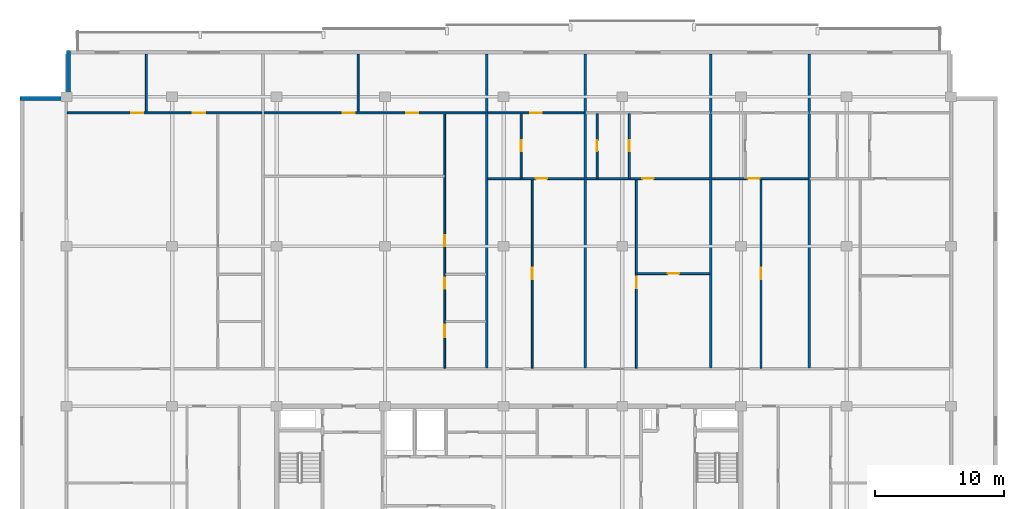
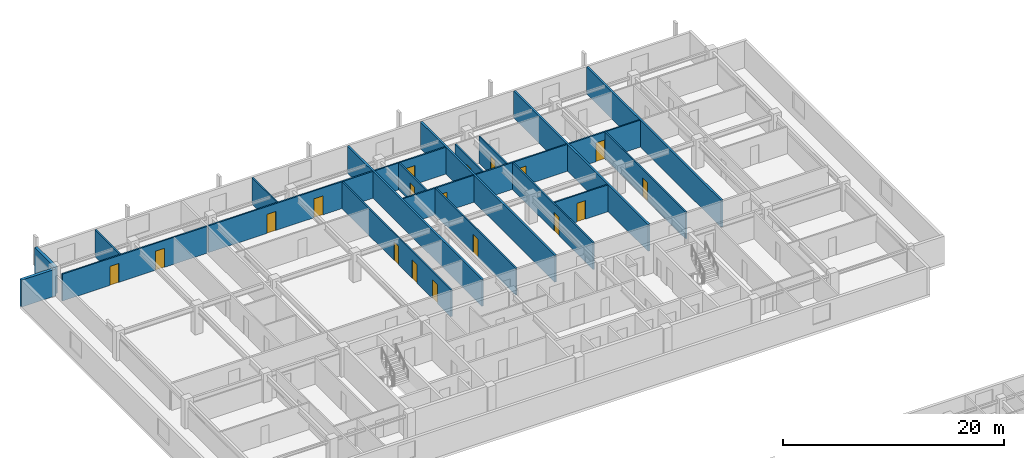
# One storey, part 13 of 21: 22 walls, 18 doors, 18 openings.
"""IFC4 building model written with IfcOpenShell, lengths in metres."""

from ifc_helpers import new_model, si_unit, direction, frame, frame_2d, origin, place, context, subcontext, project, spatial, rectangle, extrude, material, layer, layer_set, type_object, element, fill, save


model = new_model("IFC4")

# Units and contexts
model_context = context("Model", 3, precision=1e-05, world=origin(), true_north=direction((0.0, 1.0)))
body_context = subcontext(model_context, "Body", "Model", "MODEL_VIEW")
ifc_project = project(units=[si_unit("LENGTHUNIT", "METRE"), si_unit("AREAUNIT", "SQUARE_METRE"), si_unit("VOLUMEUNIT", "CUBIC_METRE"), si_unit("PLANEANGLEUNIT", "RADIAN"), si_unit("MASSUNIT", "GRAM", prefix="KILO")], contexts=[model_context])

# Site, building, storey
site_placement = place(None, origin())
site = spatial("IfcSite", under=ifc_project, at=site_placement, CompositionType="ELEMENT")
building_placement = place(site_placement, origin())
building = spatial("IfcBuilding", under=site, at=building_placement, Name="Korimba Cascade Residences", CompositionType="ELEMENT")
storey_placement = place(building_placement, frame((0.0, 0.0, 175.10009765625)))
storey = spatial("IfcBuildingStorey", under=building, at=storey_placement, Name="L50", CompositionType="ELEMENT", Elevation=175.10009765625)

# Walls
ifc_material_1 = material(Name="Precast concrete C40/50", Category="concrete")
ifc_layer_1 = layer(ifc_material_1, 0.300048828125)
ifc_layer_set_1 = layer_set([ifc_layer_1], Name="Precast concrete C40/50")
wall_type_1 = type_object("IfcWallType", Name="EW-STONE-300", PredefinedType="STANDARD", material=ifc_layer_set_1)
for number, where, z_axis, x_axis, name in (
    (1, (59.949951171875, 94.800048828125, 0.0), (0.0, 0.0, 1.0), (0.0, -1.0, 0.0), "L50 T1 Perimeter Stone Wall E07"),
    (2, (59.800048828125, 91.050048828125, 0.0), (0.0, 0.0, 1.0), (-1.0, 0.0, 0.0), "L50 T1 Perimeter Stone Wall E08"),
):
    element("IfcWall", number, at=place(storey_placement, frame(where, z_axis=z_axis, x_axis=x_axis)), inside=storey, type_object=wall_type_1, Name=name, PredefinedType="STANDARD", context=body_context, shape_type="SweptSolid", body=[
        extrude(rectangle(XDim=3.60009765625, YDim=0.300048828125, at=frame_2d((1.800048828125, 0.0))), origin(), (0.0, 0.0, 1.0), 2.969970703125),
    ])
ifc_layer_2 = layer(ifc_material_1, 0.199951171875)
ifc_layer_set_2 = layer_set([ifc_layer_2], Name="Precast concrete C40/50")
wall_type_2 = type_object("IfcWallType", Name="WAL-IT-200", PredefinedType="PARTITIONING", material=ifc_layer_set_2)
for number, where, z_axis, x_axis, name in (
    (3, (92.40478515625, 70.179931640625, 0.0), (0.0, 0.0, 1.0), (0.0, 1.0, 0.0), "L50 Partition Wall WAL-L50-T1-DEM-2"),
    (4, (100.023681640625, 70.179931640625, 0.0), (0.0, 0.0, 1.0), (0.0, 1.0, 0.0), "L50 Partition Wall WAL-L50-T1-DEM-3"),
    (5, (109.764892578125, 70.179931640625, 0.0), (0.0, 0.0, 1.0), (0.0, 1.0, 0.0), "L50 Partition Wall WAL-L50-T1-DEM-4"),
    (6, (117.3837890625, 70.179931640625, 0.0), (0.0, 0.0, 1.0), (0.0, 1.0, 0.0), "L50 Partition Wall WAL-L50-T1-DEM-5"),
):
    element("IfcWall", number, at=place(storey_placement, frame(where, z_axis=z_axis, x_axis=x_axis)), inside=storey, type_object=wall_type_2, Name=name, PredefinedType="PARTITIONING", context=body_context, shape_type="SweptSolid", body=[
        extrude(rectangle(XDim=24.320068359375, YDim=0.199951171875, at=frame_2d((12.16015625, 0.0))), origin(), (0.0, 0.0, 1.0), 2.969970703125),
    ])
ifc_material_2 = material(Name="Insulated Acoustic Stud Partition", Category="gypsum")
ifc_layer_3 = layer(ifc_material_2, 0.14990234375)
ifc_layer_set_3 = layer_set([ifc_layer_3], Name="Insulated Acoustic Stud Partition")
wall_type_3 = type_object("IfcWallType", Name="WAL-PART-150", PredefinedType="PARTITIONING", material=ifc_layer_set_3)
wall_1_placement = place(storey_placement, frame((66.000732421875, 90.030029296875, 0.0), z_axis=(0.0, 0.0, 1.0), x_axis=(0.0, 1.0, 0.0)))
element("IfcWall", 7, at=wall_1_placement, inside=storey, type_object=wall_type_3, Name="L50 Partition Wall WAL-L50-T1-U01-OUTV", PredefinedType="PARTITIONING", context=body_context, shape_type="SweptSolid", body=[
    extrude(rectangle(XDim=4.469970703125, YDim=0.14990234375, at=frame_2d((2.23486328125, 0.0))), origin(), (0.0, 0.0, 1.0), 2.969970703125),
])

# Wall, openings, doors
wall_2_placement = place(storey_placement, frame((59.8798828125, 89.949951171875, 0.0), z_axis=(0.0, 0.0, 1.0), x_axis=(1.0, 0.0, 0.0)))
wall_2 = element("IfcWall", 8, at=wall_2_placement, inside=storey, type_object=wall_type_3, Name="L50 Partition Wall WAL-L50-T1-U01-HZ", PredefinedType="PARTITIONING", context=body_context, shape_type="SweptSolid", body=[
    extrude(rectangle(XDim=15.08154296875, YDim=0.14990234375, at=frame_2d((7.540771484375, 0.0))), origin(), (0.0, 0.0, 1.0), 2.969970703125),
])
opening_1_placement = place(wall_2_placement, frame((4.9306640625, 0.0, 0.0)))
opening_1 = element("IfcOpeningElement", 9, at=opening_1_placement, cuts=wall_2, Name="Opening D-IN0", PredefinedType="OPENING", context=body_context, shape_type="SweptSolid", body=[
    extrude(rectangle(XDim=0.93994140625, YDim=2.10009765625, at=frame_2d((0.469970703125, 1.050048828125))), frame((0.0, 0.0849609375, 0.0), z_axis=(0.0, -1.0, 0.0), x_axis=(1.0, 0.0, 0.0)), (0.0, 0.0, 1.0), 0.169921875),
])
opening_2_placement = place(wall_2_placement, frame((9.7333984375, 0.0, 0.0)))
opening_2 = element("IfcOpeningElement", 10, at=opening_2_placement, cuts=wall_2, Name="Opening D-IN0", PredefinedType="OPENING", context=body_context, shape_type="SweptSolid", body=[
    extrude(rectangle(XDim=0.93994140625, YDim=2.10009765625, at=frame_2d((0.469970703125, 1.050048828125))), frame((0.0, 0.0849609375, 0.0), z_axis=(0.0, -1.0, 0.0), x_axis=(1.0, 0.0, 0.0)), (0.0, 0.0, 1.0), 0.169921875),
])
ifc_material_3 = material(Name="Acoustic Timber Living Archway Door", Category="wood")
door_type_1 = type_object("IfcDoorType", Name="DR-INT-950", OperationType="NOTDEFINED", PredefinedType="DOOR", material=ifc_material_3)
door_1_placement = place(opening_1_placement, origin())
door_1 = element("IfcDoor", 11, at=door_1_placement, inside=storey, type_object=door_type_1, Name="L50-T1-U01 Executive Co-Working Office Door", OperationType="SINGLE_SWING_RIGHT", OverallHeight=2.10009765625, OverallWidth=0.93994140625, PredefinedType="DOOR", context=body_context, shape_type="SweptSolid", body=[
    extrude(rectangle(XDim=0.93994140625, YDim=2.10009765625, at=frame_2d((0.469970703125, 1.050048828125))), frame((0.0, 0.02490234375, 0.0), z_axis=(0.0, -1.0, 0.0), x_axis=(1.0, 0.0, 0.0)), (0.0, 0.0, 1.0), 0.050048828125),
])
fill(opening_1, door_1)
door_2_placement = place(opening_2_placement, origin())
door_2 = element("IfcDoor", 12, at=door_2_placement, inside=storey, type_object=door_type_1, Name="L50-T1-U01 Focus Workstation Office Door", OperationType="SINGLE_SWING_LEFT", OverallHeight=2.10009765625, OverallWidth=0.93994140625, PredefinedType="DOOR", context=body_context, shape_type="SweptSolid", body=[
    extrude(rectangle(XDim=0.93994140625, YDim=2.10009765625, at=frame_2d((0.469970703125, 1.050048828125))), frame((0.0, 0.02490234375, 0.0), z_axis=(0.0, -1.0, 0.0), x_axis=(1.0, 0.0, 0.0)), (0.0, 0.0, 1.0), 0.050048828125),
])
fill(opening_2, door_2)

wall_3_placement = place(storey_placement, frame((89.134765625, 70.159912109375, 0.0), z_axis=(0.0, 0.0, 1.0), x_axis=(0.0, 1.0, 0.0)))
wall_3 = element("IfcWall", 13, at=wall_3_placement, inside=storey, type_object=wall_type_3, Name="L50 Partition Wall WAL-L50-T1-U02-WCV", PredefinedType="PARTITIONING", context=body_context, shape_type="SweptSolid", body=[
    extrude(rectangle(XDim=19.72998046875, YDim=0.14990234375, at=frame_2d((9.864990234375, 0.0))), origin(), (0.0, 0.0, 1.0), 2.969970703125),
])
opening_3_placement = place(wall_3_placement, frame((2.406005859375, 0.0, 0.0)))
opening_3 = element("IfcOpeningElement", 14, at=opening_3_placement, cuts=wall_3, Name="Opening D-AC1", PredefinedType="OPENING", context=body_context, shape_type="SweptSolid", body=[
    extrude(rectangle(XDim=0.9599609375, YDim=2.10009765625, at=frame_2d((0.47998046875, 1.050048828125))), frame((0.0, 0.0849609375, 0.0), z_axis=(0.0, -1.0, 0.0), x_axis=(1.0, 0.0, 0.0)), (0.0, 0.0, 1.0), 0.169921875),
])
opening_4_placement = place(wall_3_placement, frame((6.132568359375, 0.0, 0.0)))
opening_4 = element("IfcOpeningElement", 15, at=opening_4_placement, cuts=wall_3, Name="Opening D-IN2", PredefinedType="OPENING", context=body_context, shape_type="SweptSolid", body=[
    extrude(rectangle(XDim=0.8798828125, YDim=2.06005859375, at=frame_2d((0.43994140625, 1.030029296875))), frame((0.0, 0.0849609375, 0.0), z_axis=(0.0, -1.0, 0.0), x_axis=(1.0, 0.0, 0.0)), (0.0, 0.0, 1.0), 0.169921875),
])
opening_5_placement = place(wall_3_placement, frame((9.445068359375, 0.0, 0.0)))
opening_5 = element("IfcOpeningElement", 16, at=opening_5_placement, cuts=wall_3, Name="Opening D-BT1", PredefinedType="OPENING", context=body_context, shape_type="SweptSolid", body=[
    extrude(rectangle(XDim=0.840087890625, YDim=2.0400390625, at=frame_2d((0.419921875, 1.02001953125))), frame((0.0, 0.0849609375, 0.0), z_axis=(0.0, -1.0, 0.0), x_axis=(1.0, 0.0, 0.0)), (0.0, 0.0, 1.0), 0.169921875),
])
ifc_material_4 = material(Name="Accessible Acoustic Timber WC Door", Category="wood")
door_type_2 = type_object("IfcDoorType", Name="DR-ACC-950", OperationType="NOTDEFINED", PredefinedType="DOOR", material=ifc_material_4)
door_3_placement = place(opening_3_placement, origin())
door_3 = element("IfcDoor", 17, at=door_3_placement, inside=storey, type_object=door_type_2, Name="L50-T1-U02 Accessible WC Door", OperationType="SINGLE_SWING_LEFT", OverallHeight=2.10009765625, OverallWidth=0.9599609375, PredefinedType="DOOR", context=body_context, shape_type="SweptSolid", body=[
    extrude(rectangle(XDim=0.9599609375, YDim=2.10009765625, at=frame_2d((0.47998046875, 1.050048828125))), frame((0.0, 0.02490234375, 0.0), z_axis=(0.0, -1.0, 0.0), x_axis=(1.0, 0.0, 0.0)), (0.0, 0.0, 1.0), 0.050048828125),
])
fill(opening_3, door_3)
ifc_material_5 = material(Name="Moisture-Resistant Bathroom Timber Door", Category="wood")
door_type_3 = type_object("IfcDoorType", Name="DR-INT-850", OperationType="NOTDEFINED", PredefinedType="DOOR", material=ifc_material_5)
door_4_placement = place(opening_5_placement, origin())
door_4 = element("IfcDoor", 18, at=door_4_placement, inside=storey, type_object=door_type_3, Name="L50-T1-U02 Suite Store Door", OperationType="SINGLE_SWING_LEFT", OverallHeight=2.0400390625, OverallWidth=0.840087890625, PredefinedType="DOOR", context=body_context, shape_type="SweptSolid", body=[
    extrude(rectangle(XDim=0.840087890625, YDim=2.0400390625, at=frame_2d((0.419921875, 1.02001953125))), frame((0.0, 0.02490234375, 0.0), z_axis=(0.0, -1.0, 0.0), x_axis=(1.0, 0.0, 0.0)), (0.0, 0.0, 1.0), 0.050048828125),
])
fill(opening_5, door_4)
ifc_material_6 = material(Name="Acoustic Timber Bedroom Door", Category="wood")
door_type_4 = type_object("IfcDoorType", Name="DR-INT-880", OperationType="NOTDEFINED", PredefinedType="DOOR", material=ifc_material_6)
door_5_placement = place(opening_4_placement, origin())
door_5 = element("IfcDoor", 19, at=door_5_placement, inside=storey, type_object=door_type_4, Name="L50-T1-U02 Restroom WC Door", OperationType="SINGLE_SWING_RIGHT", OverallHeight=2.06005859375, OverallWidth=0.8798828125, PredefinedType="DOOR", context=body_context, shape_type="SweptSolid", body=[
    extrude(rectangle(XDim=0.8798828125, YDim=2.06005859375, at=frame_2d((0.43994140625, 1.030029296875))), frame((0.0, 0.02490234375, 0.0), z_axis=(0.0, -1.0, 0.0), x_axis=(1.0, 0.0, 0.0)), (0.0, 0.0, 1.0), 0.050048828125),
])
fill(opening_4, door_5)

# Wall
wall_4_placement = place(storey_placement, frame((82.41796875, 90.030029296875, 0.0), z_axis=(0.0, 0.0, 1.0), x_axis=(0.0, 1.0, 0.0)))
element("IfcWall", 20, at=wall_4_placement, inside=storey, type_object=wall_type_3, Name="L50 Partition Wall WAL-L50-T1-U02-OUTV", PredefinedType="PARTITIONING", context=body_context, shape_type="SweptSolid", body=[
    extrude(rectangle(XDim=4.469970703125, YDim=0.14990234375, at=frame_2d((2.23486328125, 0.0))), origin(), (0.0, 0.0, 1.0), 2.969970703125),
])

# Wall, openings, doors
wall_5_placement = place(storey_placement, frame((75.121337890625, 89.949951171875, 0.0), z_axis=(0.0, 0.0, 1.0), x_axis=(1.0, 0.0, 0.0)))
wall_5 = element("IfcWall", 21, at=wall_5_placement, inside=storey, type_object=wall_type_3, Name="L50 Partition Wall WAL-L50-T1-U02-HZ", PredefinedType="PARTITIONING", context=body_context, shape_type="SweptSolid", body=[
    extrude(rectangle(XDim=17.203369140625, YDim=0.14990234375, at=frame_2d((8.6015625, 0.0))), origin(), (0.0, 0.0, 1.0), 2.969970703125),
])
opening_6_placement = place(wall_5_placement, frame((6.106689453125, 0.0, 0.0)))
opening_6 = element("IfcOpeningElement", 22, at=opening_6_placement, cuts=wall_5, Name="Opening D-IN0", PredefinedType="OPENING", context=body_context, shape_type="SweptSolid", body=[
    extrude(rectangle(XDim=0.93994140625, YDim=2.10009765625, at=frame_2d((0.469970703125, 1.050048828125))), frame((0.0, 0.0849609375, 0.0), z_axis=(0.0, -1.0, 0.0), x_axis=(1.0, 0.0, 0.0)), (0.0, 0.0, 1.0), 0.169921875),
])
opening_7_placement = place(wall_5_placement, frame((11.029296875, 0.0, 0.0)))
opening_7 = element("IfcOpeningElement", 23, at=opening_7_placement, cuts=wall_5, Name="Opening D-IN0", PredefinedType="OPENING", context=body_context, shape_type="SweptSolid", body=[
    extrude(rectangle(XDim=0.93994140625, YDim=2.10009765625, at=frame_2d((0.469970703125, 1.050048828125))), frame((0.0, 0.0849609375, 0.0), z_axis=(0.0, -1.0, 0.0), x_axis=(1.0, 0.0, 0.0)), (0.0, 0.0, 1.0), 0.169921875),
])
door_6_placement = place(opening_6_placement, origin())
door_6 = element("IfcDoor", 24, at=door_6_placement, inside=storey, type_object=door_type_1, Name="L50-T1-U02 Hydrotherapy Wellness Clinic Door", OperationType="SINGLE_SWING_RIGHT", OverallHeight=2.10009765625, OverallWidth=0.93994140625, PredefinedType="DOOR", context=body_context, shape_type="SweptSolid", body=[
    extrude(rectangle(XDim=0.93994140625, YDim=2.10009765625, at=frame_2d((0.469970703125, 1.050048828125))), frame((0.0, 0.02490234375, 0.0), z_axis=(0.0, -1.0, 0.0), x_axis=(1.0, 0.0, 0.0)), (0.0, 0.0, 1.0), 0.050048828125),
])
fill(opening_6, door_6)
door_7_placement = place(opening_7_placement, origin())
door_7 = element("IfcDoor", 25, at=door_7_placement, inside=storey, type_object=door_type_1, Name="L50-T1-U02 Physiotherapy Treatment Room Door", OperationType="SINGLE_SWING_LEFT", OverallHeight=2.10009765625, OverallWidth=0.93994140625, PredefinedType="DOOR", context=body_context, shape_type="SweptSolid", body=[
    extrude(rectangle(XDim=0.93994140625, YDim=2.10009765625, at=frame_2d((0.469970703125, 1.050048828125))), frame((0.0, 0.02490234375, 0.0), z_axis=(0.0, -1.0, 0.0), x_axis=(1.0, 0.0, 0.0)), (0.0, 0.0, 1.0), 0.050048828125),
])
fill(opening_7, door_7)

# Wall, opening, door
wall_6_placement = place(storey_placement, frame((95.919189453125, 70.159912109375, 0.0), z_axis=(0.0, 0.0, 1.0), x_axis=(0.0, 1.0, 0.0)))
wall_6 = element("IfcWall", 26, at=wall_6_placement, inside=storey, type_object=wall_type_3, Name="L50 Partition Wall WAL-L50-T1-U03-FV", PredefinedType="PARTITIONING", context=body_context, shape_type="SweptSolid", body=[
    extrude(rectangle(XDim=14.650146484375, YDim=0.14990234375, at=frame_2d((7.3251953125, 0.0))), origin(), (0.0, 0.0, 1.0), 2.969970703125),
])
opening_8_placement = place(wall_6_placement, frame((6.885009765625, 0.0, 0.0)))
opening_8 = element("IfcOpeningElement", 27, at=opening_8_placement, cuts=wall_6, Name="Opening D-IN2", PredefinedType="OPENING", context=body_context, shape_type="SweptSolid", body=[
    extrude(rectangle(XDim=0.8798828125, YDim=2.06005859375, at=frame_2d((0.43994140625, 1.030029296875))), frame((0.0, 0.0849609375, 0.0), z_axis=(0.0, -1.0, 0.0), x_axis=(1.0, 0.0, 0.0)), (0.0, 0.0, 1.0), 0.169921875),
])
door_8_placement = place(opening_8_placement, origin())
door_8 = element("IfcDoor", 28, at=door_8_placement, inside=storey, type_object=door_type_4, Name="L50-T1-U03 Media Lounge Door", OperationType="SINGLE_SWING_RIGHT", OverallHeight=2.06005859375, OverallWidth=0.8798828125, PredefinedType="DOOR", context=body_context, shape_type="SweptSolid", body=[
    extrude(rectangle(XDim=0.8798828125, YDim=2.06005859375, at=frame_2d((0.43994140625, 1.030029296875))), frame((0.0, 0.02490234375, 0.0), z_axis=(0.0, -1.0, 0.0), x_axis=(1.0, 0.0, 0.0)), (0.0, 0.0, 1.0), 0.050048828125),
])
fill(opening_8, door_8)

wall_7_placement = place(storey_placement, frame((95.064697265625, 84.889892578125, 0.0), z_axis=(0.0, 0.0, 1.0), x_axis=(0.0, 1.0, 0.0)))
wall_7 = element("IfcWall", 29, at=wall_7_placement, inside=storey, type_object=wall_type_3, Name="L50 Partition Wall WAL-L50-T1-U03-BM", PredefinedType="PARTITIONING", context=body_context, shape_type="SweptSolid", body=[
    extrude(rectangle(XDim=5.0, YDim=0.14990234375, at=frame_2d((2.5, 0.0))), origin(), (0.0, 0.0, 1.0), 2.969970703125),
])
opening_9_placement = place(wall_7_placement, frame((2.080078125, 0.0, 0.0)))
opening_9 = element("IfcOpeningElement", 30, at=opening_9_placement, cuts=wall_7, Name="Opening D-BT1", PredefinedType="OPENING", context=body_context, shape_type="SweptSolid", body=[
    extrude(rectangle(XDim=0.840087890625, YDim=2.0400390625, at=frame_2d((0.419921875, 1.02001953125))), frame((0.0, 0.0849609375, 0.0), z_axis=(0.0, -1.0, 0.0), x_axis=(1.0, 0.0, 0.0)), (0.0, 0.0, 1.0), 0.169921875),
])
door_9_placement = place(opening_9_placement, origin())
door_9 = element("IfcDoor", 31, at=door_9_placement, inside=storey, type_object=door_type_3, Name="L50-T1-U03 Bathroom Door", OperationType="SINGLE_SWING_LEFT", OverallHeight=2.0400390625, OverallWidth=0.840087890625, PredefinedType="DOOR", context=body_context, shape_type="SweptSolid", body=[
    extrude(rectangle(XDim=0.840087890625, YDim=2.0400390625, at=frame_2d((0.419921875, 1.02001953125))), frame((0.0, 0.02490234375, 0.0), z_axis=(0.0, -1.0, 0.0), x_axis=(1.0, 0.0, 0.0)), (0.0, 0.0, 1.0), 0.050048828125),
])
fill(opening_9, door_9)

wall_8_placement = place(storey_placement, frame((92.484619140625, 84.85009765625, 0.0), z_axis=(0.0, 0.0, 1.0), x_axis=(1.0, 0.0, 0.0)))
wall_8 = element("IfcWall", 32, at=wall_8_placement, inside=storey, type_object=wall_type_3, Name="L50 Partition Wall WAL-L50-T1-U03-MW", PredefinedType="PARTITIONING", context=body_context, shape_type="SweptSolid", body=[
    extrude(rectangle(XDim=7.459228515625, YDim=0.14990234375, at=frame_2d((3.7294921875, 0.0))), origin(), (0.0, 0.0, 1.0), 2.969970703125),
])
opening_10_placement = place(wall_8_placement, frame((3.69677734375, 0.0, 0.0)))
opening_10 = element("IfcOpeningElement", 33, at=opening_10_placement, cuts=wall_8, Name="Opening D-IN1", PredefinedType="OPENING", context=body_context, shape_type="SweptSolid", body=[
    extrude(rectangle(XDim=0.919921875, YDim=2.080078125, at=frame_2d((0.4599609375, 1.0400390625))), frame((0.0, 0.0849609375, 0.0), z_axis=(0.0, -1.0, 0.0), x_axis=(1.0, 0.0, 0.0)), (0.0, 0.0, 1.0), 0.169921875),
])
ifc_material_7 = material(Name="Acoustic Timber Living Door", Category="wood")
door_type_5 = type_object("IfcDoorType", Name="DR-INT-920", OperationType="NOTDEFINED", PredefinedType="DOOR", material=ifc_material_7)
door_10_placement = place(opening_10_placement, origin())
door_10 = element("IfcDoor", 34, at=door_10_placement, inside=storey, type_object=door_type_5, Name="L50-T1-U03 Studio Kitchen Door", OperationType="SINGLE_SWING_RIGHT", OverallHeight=2.080078125, OverallWidth=0.919921875, PredefinedType="DOOR", context=body_context, shape_type="SweptSolid", body=[
    extrude(rectangle(XDim=0.919921875, YDim=2.080078125, at=frame_2d((0.4599609375, 1.0400390625))), frame((0.0, 0.02490234375, 0.0), z_axis=(0.0, -1.0, 0.0), x_axis=(1.0, 0.0, 0.0)), (0.0, 0.0, 1.0), 0.050048828125),
])
fill(opening_10, door_10)

wall_9_placement = place(storey_placement, frame((92.484619140625, 89.949951171875, 0.0), z_axis=(0.0, 0.0, 1.0), x_axis=(1.0, 0.0, 0.0)))
wall_9 = element("IfcWall", 35, at=wall_9_placement, inside=storey, type_object=wall_type_3, Name="L50 Partition Wall WAL-L50-T1-U03-HZ", PredefinedType="PARTITIONING", context=body_context, shape_type="SweptSolid", body=[
    extrude(rectangle(XDim=7.459228515625, YDim=0.14990234375, at=frame_2d((3.7294921875, 0.0))), origin(), (0.0, 0.0, 1.0), 2.969970703125),
])
opening_11_placement = place(wall_9_placement, frame((3.26953125, 0.0, 0.0)))
opening_11 = element("IfcOpeningElement", 36, at=opening_11_placement, cuts=wall_9, Name="Opening D-IN1", PredefinedType="OPENING", context=body_context, shape_type="SweptSolid", body=[
    extrude(rectangle(XDim=0.919921875, YDim=2.080078125, at=frame_2d((0.4599609375, 1.0400390625))), frame((0.0, 0.0849609375, 0.0), z_axis=(0.0, -1.0, 0.0), x_axis=(1.0, 0.0, 0.0)), (0.0, 0.0, 1.0), 0.169921875),
])
door_11_placement = place(opening_11_placement, origin())
door_11 = element("IfcDoor", 37, at=door_11_placement, inside=storey, type_object=door_type_5, Name="L50-T1-U03 Studio Door", OperationType="SINGLE_SWING_LEFT", OverallHeight=2.080078125, OverallWidth=0.919921875, PredefinedType="DOOR", context=body_context, shape_type="SweptSolid", body=[
    extrude(rectangle(XDim=0.919921875, YDim=2.080078125, at=frame_2d((0.4599609375, 1.0400390625))), frame((0.0, 0.02490234375, 0.0), z_axis=(0.0, -1.0, 0.0), x_axis=(1.0, 0.0, 0.0)), (0.0, 0.0, 1.0), 0.050048828125),
])
fill(opening_11, door_11)

wall_10_placement = place(storey_placement, frame((104.0537109375, 77.485107421875, 0.0), z_axis=(0.0, 0.0, 1.0), x_axis=(1.0, 0.0, 0.0)))
wall_10 = element("IfcWall", 38, at=wall_10_placement, inside=storey, type_object=wall_type_3, Name="L50 Partition Wall WAL-L50-T1-U04-FMH", PredefinedType="PARTITIONING", context=body_context, shape_type="SweptSolid", body=[
    extrude(rectangle(XDim=5.631103515625, YDim=0.14990234375, at=frame_2d((2.8154296875, 0.0))), origin(), (0.0, 0.0, 1.0), 2.969970703125),
])
opening_12_placement = place(wall_10_placement, frame((2.37548828125, 0.0, 0.0)))
opening_12 = element("IfcOpeningElement", 39, at=opening_12_placement, cuts=wall_10, Name="Opening D-IN2", PredefinedType="OPENING", context=body_context, shape_type="SweptSolid", body=[
    extrude(rectangle(XDim=0.8798828125, YDim=2.06005859375, at=frame_2d((0.43994140625, 1.030029296875))), frame((0.0, 0.0849609375, 0.0), z_axis=(0.0, -1.0, 0.0), x_axis=(1.0, 0.0, 0.0)), (0.0, 0.0, 1.0), 0.169921875),
])
door_12_placement = place(opening_12_placement, origin())
door_12 = element("IfcDoor", 40, at=door_12_placement, inside=storey, type_object=door_type_4, Name="L50-T1-U04 Library Salon Door", OperationType="SINGLE_SWING_RIGHT", OverallHeight=2.06005859375, OverallWidth=0.8798828125, PredefinedType="DOOR", context=body_context, shape_type="SweptSolid", body=[
    extrude(rectangle(XDim=0.8798828125, YDim=2.06005859375, at=frame_2d((0.43994140625, 1.030029296875))), frame((0.0, 0.02490234375, 0.0), z_axis=(0.0, -1.0, 0.0), x_axis=(1.0, 0.0, 0.0)), (0.0, 0.0, 1.0), 0.050048828125),
])
fill(opening_12, door_12)

wall_11_placement = place(storey_placement, frame((103.993896484375, 70.159912109375, 0.0), z_axis=(0.0, 0.0, 1.0), x_axis=(0.0, 1.0, 0.0)))
wall_11 = element("IfcWall", 41, at=wall_11_placement, inside=storey, type_object=wall_type_3, Name="L50 Partition Wall WAL-L50-T1-U04-FV", PredefinedType="PARTITIONING", context=body_context, shape_type="SweptSolid", body=[
    extrude(rectangle(XDim=14.650146484375, YDim=0.14990234375, at=frame_2d((7.3251953125, 0.0))), origin(), (0.0, 0.0, 1.0), 2.969970703125),
])
opening_13_placement = place(wall_11_placement, frame((6.195068359375, 0.0, 0.0)))
opening_13 = element("IfcOpeningElement", 42, at=opening_13_placement, cuts=wall_11, Name="Opening D-IN2", PredefinedType="OPENING", context=body_context, shape_type="SweptSolid", body=[
    extrude(rectangle(XDim=0.8798828125, YDim=2.06005859375, at=frame_2d((0.43994140625, 1.030029296875))), frame((0.0, 0.0849609375, 0.0), z_axis=(0.0, -1.0, 0.0), x_axis=(1.0, 0.0, 0.0)), (0.0, 0.0, 1.0), 0.169921875),
])
door_13_placement = place(opening_13_placement, origin())
door_13 = element("IfcDoor", 43, at=door_13_placement, inside=storey, type_object=door_type_4, Name="L50-T1-U04 Media Lounge Door", OperationType="SINGLE_SWING_LEFT", OverallHeight=2.06005859375, OverallWidth=0.8798828125, PredefinedType="DOOR", context=body_context, shape_type="SweptSolid", body=[
    extrude(rectangle(XDim=0.8798828125, YDim=2.06005859375, at=frame_2d((0.43994140625, 1.030029296875))), frame((0.0, 0.02490234375, 0.0), z_axis=(0.0, -1.0, 0.0), x_axis=(1.0, 0.0, 0.0)), (0.0, 0.0, 1.0), 0.050048828125),
])
fill(opening_13, door_13)

wall_12_placement = place(storey_placement, frame((100.94482421875, 84.889892578125, 0.0), z_axis=(0.0, 0.0, 1.0), x_axis=(0.0, 1.0, 0.0)))
wall_12 = element("IfcWall", 44, at=wall_12_placement, inside=storey, type_object=wall_type_3, Name="L50 Partition Wall WAL-L50-T1-U04-CLS", PredefinedType="PARTITIONING", context=body_context, shape_type="SweptSolid", body=[
    extrude(rectangle(XDim=5.0, YDim=0.14990234375, at=frame_2d((2.5, 0.0))), origin(), (0.0, 0.0, 1.0), 2.969970703125),
])
opening_14_placement = place(wall_12_placement, frame((2.080078125, 0.0, 0.0)))
opening_14 = element("IfcOpeningElement", 45, at=opening_14_placement, cuts=wall_12, Name="Opening D-BT1", PredefinedType="OPENING", context=body_context, shape_type="SweptSolid", body=[
    extrude(rectangle(XDim=0.840087890625, YDim=2.0400390625, at=frame_2d((0.419921875, 1.02001953125))), frame((0.0, 0.0849609375, 0.0), z_axis=(0.0, -1.0, 0.0), x_axis=(1.0, 0.0, 0.0)), (0.0, 0.0, 1.0), 0.169921875),
])
door_14_placement = place(opening_14_placement, origin())
door_14 = element("IfcDoor", 46, at=door_14_placement, inside=storey, type_object=door_type_3, Name="L50-T1-U04 Closet Door", OperationType="SINGLE_SWING_RIGHT", OverallHeight=2.0400390625, OverallWidth=0.840087890625, PredefinedType="DOOR", context=body_context, shape_type="SweptSolid", body=[
    extrude(rectangle(XDim=0.840087890625, YDim=2.0400390625, at=frame_2d((0.419921875, 1.02001953125))), frame((0.0, 0.02490234375, 0.0), z_axis=(0.0, -1.0, 0.0), x_axis=(1.0, 0.0, 0.0)), (0.0, 0.0, 1.0), 0.050048828125),
])
fill(opening_14, door_14)

wall_13_placement = place(storey_placement, frame((103.44482421875, 84.889892578125, 0.0), z_axis=(0.0, 0.0, 1.0), x_axis=(0.0, 1.0, 0.0)))
wall_13 = element("IfcWall", 47, at=wall_13_placement, inside=storey, type_object=wall_type_3, Name="L50 Partition Wall WAL-L50-T1-U04-BM", PredefinedType="PARTITIONING", context=body_context, shape_type="SweptSolid", body=[
    extrude(rectangle(XDim=5.0, YDim=0.14990234375, at=frame_2d((2.5, 0.0))), origin(), (0.0, 0.0, 1.0), 2.969970703125),
])
opening_15_placement = place(wall_13_placement, frame((2.080078125, 0.0, 0.0)))
opening_15 = element("IfcOpeningElement", 48, at=opening_15_placement, cuts=wall_13, Name="Opening D-BT1", PredefinedType="OPENING", context=body_context, shape_type="SweptSolid", body=[
    extrude(rectangle(XDim=0.840087890625, YDim=2.0400390625, at=frame_2d((0.419921875, 1.02001953125))), frame((0.0, 0.0849609375, 0.0), z_axis=(0.0, -1.0, 0.0), x_axis=(1.0, 0.0, 0.0)), (0.0, 0.0, 1.0), 0.169921875),
])
door_15_placement = place(opening_15_placement, origin())
door_15 = element("IfcDoor", 49, at=door_15_placement, inside=storey, type_object=door_type_3, Name="L50-T1-U04 Bathroom Door", OperationType="SINGLE_SWING_LEFT", OverallHeight=2.0400390625, OverallWidth=0.840087890625, PredefinedType="DOOR", context=body_context, shape_type="SweptSolid", body=[
    extrude(rectangle(XDim=0.840087890625, YDim=2.0400390625, at=frame_2d((0.419921875, 1.02001953125))), frame((0.0, 0.02490234375, 0.0), z_axis=(0.0, -1.0, 0.0), x_axis=(1.0, 0.0, 0.0)), (0.0, 0.0, 1.0), 0.050048828125),
])
fill(opening_15, door_15)

wall_14_placement = place(storey_placement, frame((100.103759765625, 84.85009765625, 0.0), z_axis=(0.0, 0.0, 1.0), x_axis=(1.0, 0.0, 0.0)))
wall_14 = element("IfcWall", 50, at=wall_14_placement, inside=storey, type_object=wall_type_3, Name="L50 Partition Wall WAL-L50-T1-U04-MW", PredefinedType="PARTITIONING", context=body_context, shape_type="SweptSolid", body=[
    extrude(rectangle(XDim=9.5810546875, YDim=0.14990234375, at=frame_2d((4.79052734375, 0.0))), origin(), (0.0, 0.0, 1.0), 2.969970703125),
])
opening_16_placement = place(wall_14_placement, frame((4.33056640625, 0.0, 0.0)))
opening_16 = element("IfcOpeningElement", 51, at=opening_16_placement, cuts=wall_14, Name="Opening D-IN1", PredefinedType="OPENING", context=body_context, shape_type="SweptSolid", body=[
    extrude(rectangle(XDim=0.919921875, YDim=2.080078125, at=frame_2d((0.4599609375, 1.0400390625))), frame((0.0, 0.0849609375, 0.0), z_axis=(0.0, -1.0, 0.0), x_axis=(1.0, 0.0, 0.0)), (0.0, 0.0, 1.0), 0.169921875),
])
door_16_placement = place(opening_16_placement, origin())
door_16 = element("IfcDoor", 52, at=door_16_placement, inside=storey, type_object=door_type_5, Name="L50-T1-U04 Studio Kitchen Door", OperationType="SINGLE_SWING_RIGHT", OverallHeight=2.080078125, OverallWidth=0.919921875, PredefinedType="DOOR", context=body_context, shape_type="SweptSolid", body=[
    extrude(rectangle(XDim=0.919921875, YDim=2.080078125, at=frame_2d((0.4599609375, 1.0400390625))), frame((0.0, 0.02490234375, 0.0), z_axis=(0.0, -1.0, 0.0), x_axis=(1.0, 0.0, 0.0)), (0.0, 0.0, 1.0), 0.050048828125),
])
fill(opening_16, door_16)

wall_15_placement = place(storey_placement, frame((113.6591796875, 70.159912109375, 0.0), z_axis=(0.0, 0.0, 1.0), x_axis=(0.0, 1.0, 0.0)))
wall_15 = element("IfcWall", 53, at=wall_15_placement, inside=storey, type_object=wall_type_3, Name="L50 Partition Wall WAL-L50-T1-U05-FV", PredefinedType="PARTITIONING", context=body_context, shape_type="SweptSolid", body=[
    extrude(rectangle(XDim=14.650146484375, YDim=0.14990234375, at=frame_2d((7.3251953125, 0.0))), origin(), (0.0, 0.0, 1.0), 2.969970703125),
])
opening_17_placement = place(wall_15_placement, frame((6.885009765625, 0.0, 0.0)))
opening_17 = element("IfcOpeningElement", 54, at=opening_17_placement, cuts=wall_15, Name="Opening D-IN2", PredefinedType="OPENING", context=body_context, shape_type="SweptSolid", body=[
    extrude(rectangle(XDim=0.8798828125, YDim=2.06005859375, at=frame_2d((0.43994140625, 1.030029296875))), frame((0.0, 0.0849609375, 0.0), z_axis=(0.0, -1.0, 0.0), x_axis=(1.0, 0.0, 0.0)), (0.0, 0.0, 1.0), 0.169921875),
])
door_17_placement = place(opening_17_placement, origin())
door_17 = element("IfcDoor", 55, at=door_17_placement, inside=storey, type_object=door_type_4, Name="L50-T1-U05 Media Lounge Door", OperationType="SINGLE_SWING_RIGHT", OverallHeight=2.06005859375, OverallWidth=0.8798828125, PredefinedType="DOOR", context=body_context, shape_type="SweptSolid", body=[
    extrude(rectangle(XDim=0.8798828125, YDim=2.06005859375, at=frame_2d((0.43994140625, 1.030029296875))), frame((0.0, 0.02490234375, 0.0), z_axis=(0.0, -1.0, 0.0), x_axis=(1.0, 0.0, 0.0)), (0.0, 0.0, 1.0), 0.050048828125),
])
fill(opening_17, door_17)

wall_16_placement = place(storey_placement, frame((109.8447265625, 84.85009765625, 0.0), z_axis=(0.0, 0.0, 1.0), x_axis=(1.0, 0.0, 0.0)))
wall_16 = element("IfcWall", 56, at=wall_16_placement, inside=storey, type_object=wall_type_3, Name="L50 Partition Wall WAL-L50-T1-U05-MW", PredefinedType="PARTITIONING", context=body_context, shape_type="SweptSolid", body=[
    extrude(rectangle(XDim=7.459228515625, YDim=0.14990234375, at=frame_2d((3.7294921875, 0.0))), origin(), (0.0, 0.0, 1.0), 2.969970703125),
])
opening_18_placement = place(wall_16_placement, frame((2.800048828125, 0.0, 0.0)))
opening_18 = element("IfcOpeningElement", 57, at=opening_18_placement, cuts=wall_16, Name="Opening D-IN1", PredefinedType="OPENING", context=body_context, shape_type="SweptSolid", body=[
    extrude(rectangle(XDim=0.919921875, YDim=2.080078125, at=frame_2d((0.4599609375, 1.0400390625))), frame((0.0, 0.0849609375, 0.0), z_axis=(0.0, -1.0, 0.0), x_axis=(1.0, 0.0, 0.0)), (0.0, 0.0, 1.0), 0.169921875),
])
door_18_placement = place(opening_18_placement, origin())
door_18 = element("IfcDoor", 58, at=door_18_placement, inside=storey, type_object=door_type_5, Name="L50-T1-U05 Studio Kitchen Door", OperationType="SINGLE_SWING_RIGHT", OverallHeight=2.080078125, OverallWidth=0.919921875, PredefinedType="DOOR", context=body_context, shape_type="SweptSolid", body=[
    extrude(rectangle(XDim=0.919921875, YDim=2.080078125, at=frame_2d((0.4599609375, 1.0400390625))), frame((0.0, 0.02490234375, 0.0), z_axis=(0.0, -1.0, 0.0), x_axis=(1.0, 0.0, 0.0)), (0.0, 0.0, 1.0), 0.050048828125),
])
fill(opening_18, door_18)

save(model, "model.ifc")
